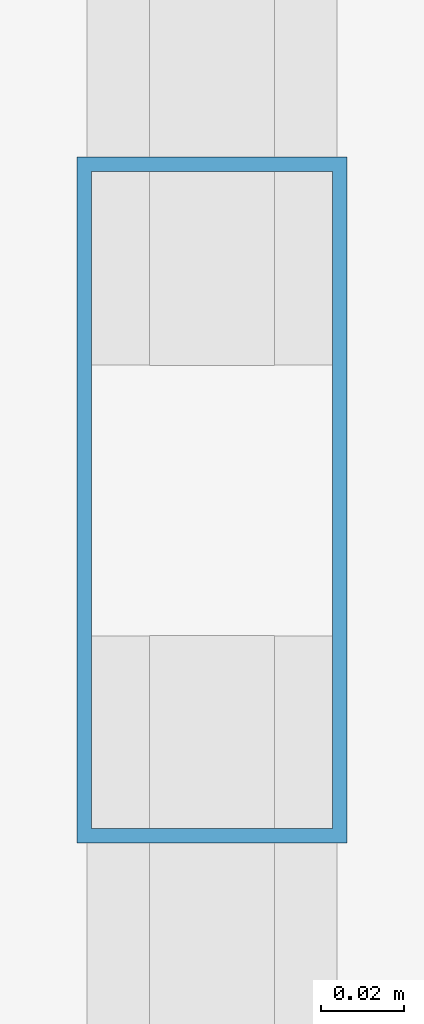
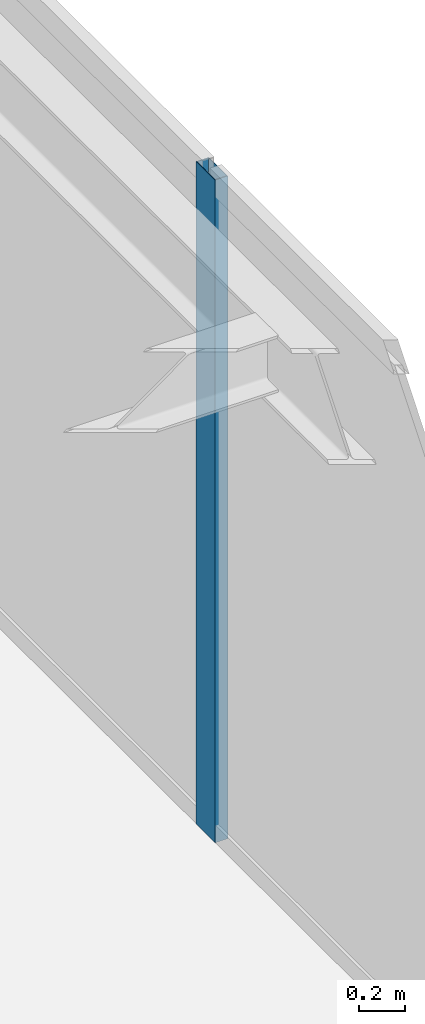
# One storey, part 17 of 29: 1 member, 1 element without a shape of its own.
"""IFC4 building model written with IfcOpenShell, lengths in metres."""

from ifc_helpers import new_model, si_unit, direction, frame, origin, origin_2d, place, context, subcontext, project, spatial, hollow_rectangle, extrude, source, transform, mapped, material, layer, layer_set, material_profile, profile_set, type_object, type_shapes, element, aggregate, save


model = new_model("IFC4")

# Units and contexts
model_context = context("Model", 3, precision=1e-05, world=origin(), true_north=direction((0.0, 1.0)))
body_context = subcontext(model_context, "Body", "Model", "MODEL_VIEW")
ifc_project = project(units=[si_unit("LENGTHUNIT", "METRE"), si_unit("AREAUNIT", "SQUARE_METRE"), si_unit("VOLUMEUNIT", "CUBIC_METRE"), si_unit("PLANEANGLEUNIT", "RADIAN"), si_unit("MASSUNIT", "GRAM", prefix="KILO")], contexts=[model_context])

# Site, building, storey
site_placement = place(None, origin())
site = spatial("IfcSite", under=ifc_project, at=site_placement, CompositionType="ELEMENT")
building_placement = place(site_placement, origin())
building = spatial("IfcBuilding", under=site, at=building_placement, Name="Varnel Quay Broadcast Tower", CompositionType="ELEMENT")
storey_placement = place(building_placement, frame((0.0, 0.0, 172.39990234375)))
storey = spatial("IfcBuildingStorey", under=building, at=storey_placement, Name="L42", CompositionType="ELEMENT", Elevation=172.39990234375)

# Curtain wall, member
ifc_material = material(Name="Anodised Bronze Aluminium 6063-T6", Category="aluminium")
ifc_layer = layer(ifc_material, 0.18994140625, Name="Anodised Bronze Aluminium 6063-T6")
ifc_layer_set = layer_set([ifc_layer], Name="Anodised Bronze Aluminium 6063-T6")
curtain_wall_type = type_object("IfcCurtainWallType", Name="CW_UpperTower", PredefinedType="NOTDEFINED", material=ifc_layer_set)
curtain_wall_placement = place(storey_placement, origin())
curtain_wall = element("IfcCurtainWall", 1, at=curtain_wall_placement, inside=storey, type_object=curtain_wall_type, Name="L42 East Unitised Curtain Wall", PredefinedType="NOTDEFINED")
ifc_material_profile = material_profile(ifc_material, hollow_rectangle(XDim=0.06494140625, YDim=0.1650390625, WallThickness=0.00341796875, at=origin_2d()), Name="ALU65X165X3.5")
ifc_profile_set = profile_set([ifc_material_profile], Name="Anodised Bronze Aluminium 6063-T6")
member_type = type_object("IfcMemberType", Name="Mull_CWS-03", PredefinedType="MULLION", material=ifc_profile_set)
shared_shape = source(origin(), body_context, "Body", "SweptSolid", [
    extrude(hollow_rectangle(XDim=0.06494140625, YDim=0.1650390625, WallThickness=0.00341796875, at=origin_2d()), origin(), (0.0, 0.0, 1.0), 3.550048828125),
])
type_shapes(member_type, [shared_shape])
member_placement = place(storey_placement, frame((60.85009765625, 21.60009765625, 0.0), z_axis=(0.0, 0.0, 1.0), x_axis=(-1.0, 0.0, 0.0)))
member = element("IfcMember", 2, at=member_placement, type_object=member_type, Name="CWS-03 mullion 2", PredefinedType="MULLION", context=body_context, shape_type="MappedRepresentation", body=[
    mapped(shared_shape, transform((0.0, 0.0, 0.0), x_axis=(1.0, 0.0, 0.0), y_axis=(0.0, 1.0, 0.0), z_axis=(0.0, 0.0, 1.0), scale=1.0)),
])
aggregate(curtain_wall, [member])

save(model, "model.ifc")
